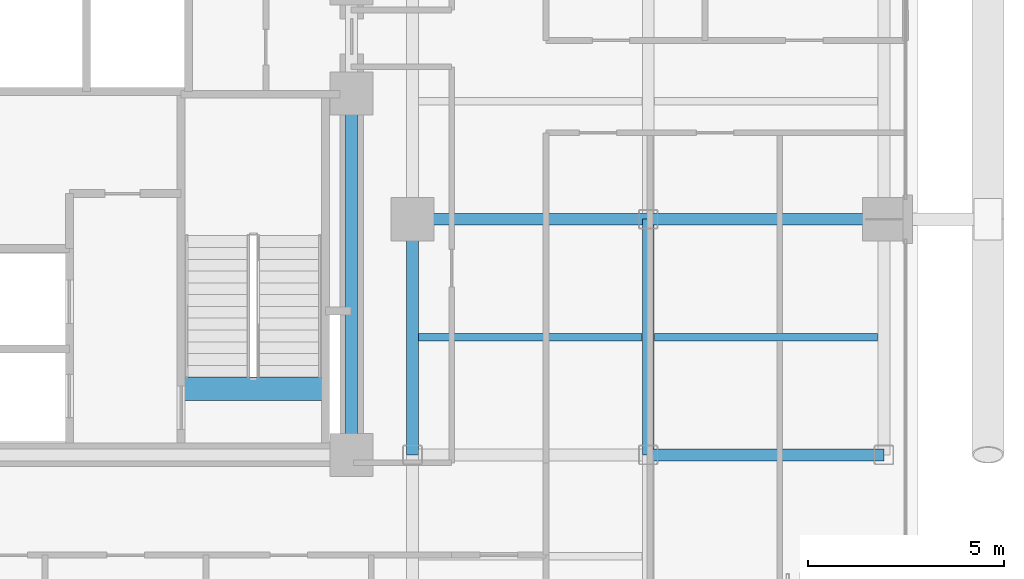
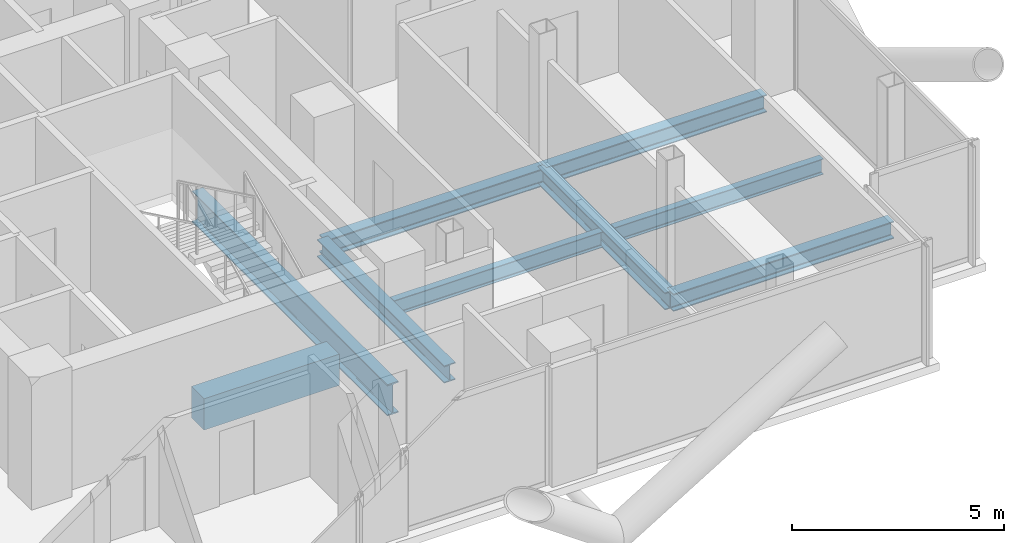
# One storey, part 10 of 24: 9 beams.
"""IFC4 building model written with IfcOpenShell, lengths in metres."""

import ifcopenshell
import ifcopenshell.guid

model = None  # the IFC model being written
_history = None  # IfcOwnerHistory: only IFC2X3 demands one
_inside = {}  # id of a spatial element -> (the spatial element, [elements in it])
_under = {}  # id of a project, library or spatial element -> (it, [spatial elements below it])
_declared = {}  # id of a project -> (the project, [libraries it declares])
_typed = {}  # id of a type object -> (the type object, [elements of that type])
_made_of = {}  # id of a material, layer set ... -> (it, [elements and type objects made of it])


def new_model(schema):
    """Start an empty IFC model of exactly this schema.

    Asked for "IFC4X3", IfcOpenShell would pick the latest addendum, in which some entities
    have other attributes; the version numbers below select the first issue.
    IFC2X3 requires an IfcOwnerHistory on every rooted entity: one is made here for all.
    """
    global model, _history
    if schema == "IFC4X3":
        model = ifcopenshell.file(schema_version=(4, 3, 0, 0))
    else:
        model = ifcopenshell.file(schema=schema)
    _inside.clear()
    _under.clear()
    _declared.clear()
    _typed.clear()
    _made_of.clear()
    _history = None
    if model.schema == "IFC2X3":
        org = make("IfcOrganization", Name="unknown")
        user = make(
            "IfcPersonAndOrganization",
            ThePerson=make("IfcPerson", FamilyName="unknown"),
            TheOrganization=org,
        )
        app = make(
            "IfcApplication",
            ApplicationDeveloper=org,
            Version="unknown",
            ApplicationFullName="unknown",
            ApplicationIdentifier="unknown",
        )
        _history = make(
            "IfcOwnerHistory",
            OwningUser=user,
            OwningApplication=app,
            ChangeAction="ADDED",
            CreationDate=0,
        )
    return model


def make(cls, **values):
    """One entity of the class cls with the attributes given. An attribute that is None is left unset."""
    return model.create_entity(
        cls, **{name: value for name, value in values.items() if value is not None}
    )


def rooted(cls, **values):
    """An entity with a GlobalId (a new one), such as an element, a storey or a relation."""
    return make(cls, GlobalId=ifcopenshell.guid.new(), OwnerHistory=_history, **values)


def si_unit(unit_type, name, prefix=None):
    """IfcSIUnit, for example si_unit("LENGTHUNIT", "METRE", prefix="MILLI")."""
    return make("IfcSIUnit", UnitType=unit_type, Prefix=prefix, Name=name)


def assignment(units):
    """IfcUnitAssignment: the units of a project."""
    return None if units is None else make("IfcUnitAssignment", Units=units)


def point(xyz):
    """IfcCartesianPoint."""
    return None if xyz is None else make("IfcCartesianPoint", Coordinates=xyz)


def direction(xyz):
    """IfcDirection."""
    return None if xyz is None else make("IfcDirection", DirectionRatios=xyz)


def frame(location, z_axis=None, x_axis=None):
    """IfcAxis2Placement3D, a coordinate frame: its origin and axes. An axis left out is left unset."""
    return make(
        "IfcAxis2Placement3D",
        Location=point(location),
        Axis=direction(z_axis),
        RefDirection=direction(x_axis),
    )


def frame_2d(location, x_axis=None):
    """IfcAxis2Placement2D, a coordinate frame in the plane: its origin and x axis."""
    return make(
        "IfcAxis2Placement2D", Location=point(location), RefDirection=direction(x_axis)
    )


def origin():
    """The frame at (0, 0, 0) with its axes left unset."""
    return frame((0.0, 0.0, 0.0))


def origin_2d():
    """The frame at (0, 0) in the plane with its x axis left unset."""
    return frame_2d((0.0, 0.0))


def place(relative_to, where):
    """IfcLocalPlacement: puts the frame where relative to a parent placement (None: the world)."""
    return make(
        "IfcLocalPlacement", PlacementRelTo=relative_to, RelativePlacement=where
    )


def context(
    kind, dimensions, precision=None, world=None, true_north=None, identifier=None
):
    """IfcGeometricRepresentationContext, for example the 3D "Model" context."""
    return make(
        "IfcGeometricRepresentationContext",
        ContextIdentifier=identifier,
        ContextType=kind,
        CoordinateSpaceDimension=dimensions,
        Precision=precision,
        WorldCoordinateSystem=world,
        TrueNorth=true_north,
    )


def subcontext(parent, identifier, kind, view, scale=None):
    """IfcGeometricRepresentationSubContext, for example "Body" below "Model"."""
    return make(
        "IfcGeometricRepresentationSubContext",
        ContextIdentifier=identifier,
        ContextType=kind,
        ParentContext=parent,
        TargetScale=scale,
        TargetView=view,
    )


def project(units=None, contexts=None):
    """IfcProject with its units and contexts."""
    return rooted(
        "IfcProject",
        Name="project",
        RepresentationContexts=contexts,
        UnitsInContext=assignment(units),
    )


def spatial(cls, under=None, at=None, **own):
    """A site, building, storey or space (cls), placed at a placement, below another one or the project."""
    s = rooted(cls, ObjectPlacement=at, **own)
    if under is not None:
        _under.setdefault(under.id(), (under, []))[1].append(s)
    return s


def profile(cls, at=None, kind="AREA", **sizes):
    """A parametric profile (cls). Its sizes go by their IFC names, for example OverallWidth=200.0."""
    return make(cls, ProfileType=kind, Position=at, **sizes)


def rectangle(**sizes):
    """IfcRectangleProfileDef."""
    return profile("IfcRectangleProfileDef", **sizes)


def i_section(**sizes):
    """IfcIShapeProfileDef."""
    return profile("IfcIShapeProfileDef", **sizes)


def extrude(swept, where, along, depth):
    """IfcExtrudedAreaSolid: the profile swept, set in the frame where, extruded along a direction by depth."""
    return make(
        "IfcExtrudedAreaSolid",
        SweptArea=swept,
        Position=where,
        ExtrudedDirection=direction(along),
        Depth=depth,
    )


def shape(context_of_items, identifier, shape_type, items):
    """IfcShapeRepresentation: the items that make up one representation, for example the "Body"."""
    return make(
        "IfcShapeRepresentation",
        ContextOfItems=context_of_items,
        RepresentationIdentifier=identifier,
        RepresentationType=shape_type,
        Items=items,
    )


def material(Name=None, Category=None):
    """IfcMaterial."""
    return make("IfcMaterial", Name=Name, Category=Category)


def material_profile(
    of_material, cross_section, Name=None, Category=None, Priority=None
):
    """IfcMaterialProfile: a cross section and its material."""
    return make(
        "IfcMaterialProfile",
        Name=Name,
        Material=of_material,
        Profile=cross_section,
        Priority=Priority,
        Category=Category,
    )


def profile_set(profiles, Name=None, composite=None):
    """IfcMaterialProfileSet."""
    return make(
        "IfcMaterialProfileSet",
        Name=Name,
        MaterialProfiles=profiles,
        CompositeProfile=composite,
    )


def made_of(thing, what):
    """Note that an element or type object is made of a material, layer set ...; save() writes the relation."""
    if what is not None:
        _made_of.setdefault(what.id(), (what, []))[1].append(thing)
    return thing


def type_object(cls, material=None, **own):
    """A type object (cls), such as IfcWallType, which elements share."""
    return made_of(rooted(cls, **own), material)


def element(
    cls,
    number,
    at=None,
    inside=None,
    cuts=None,
    type_object=None,
    material=None,
    context=None,
    identifier="Body",
    shape_type=None,
    held_by="IfcProductDefinitionShape",
    body=None,
    shapes=None,
    **own,
):
    """One element of the class cls, such as IfcWall. Its Tag is "e" and its number.

    at: its placement. inside: the storey or other place that contains it. cuts: it is an
    opening in that element (IfcRelVoidsElement). A single representation is given by context,
    identifier, shape_type and body (its items); several are given by shapes. held_by: the class
    of the entity that holds the representations. save() writes the other relations.
    """
    e = rooted(cls, Tag="e%d" % number, ObjectPlacement=at, **own)
    if body is not None:
        shapes = [shape(context, identifier, shape_type, body)]
    if shapes is not None:
        e.Representation = make(held_by, Representations=shapes)
    if inside is not None:
        _inside.setdefault(inside.id(), (inside, []))[1].append(e)
    if cuts is not None:
        rooted(
            "IfcRelVoidsElement", RelatingBuildingElement=cuts, RelatedOpeningElement=e
        )
    if type_object is not None:
        _typed.setdefault(type_object.id(), (type_object, []))[1].append(e)
    return made_of(e, material)


def aggregate(whole, parts):
    """IfcRelAggregates: a whole, such as a stair, and the parts it consists of."""
    return rooted("IfcRelAggregates", RelatingObject=whole, RelatedObjects=parts)


def save(model, path):
    """Write the relations noted so far, then the file.

    IfcRelAggregates (storeys below a building ...), IfcRelContainedInSpatialStructure (elements
    in a storey), IfcRelDefinesByType, IfcRelAssociatesMaterial and IfcRelDeclares: one each for
    every whole, place, type object, material and project.
    """
    for whole, parts in _under.values():
        aggregate(whole, parts)
    for where, things in _inside.values():
        rooted(
            "IfcRelContainedInSpatialStructure",
            RelatedElements=things,
            RelatingStructure=where,
        )
    for kind, things in _typed.values():
        rooted("IfcRelDefinesByType", RelatedObjects=things, RelatingType=kind)
    for what, things in _made_of.values():
        rooted("IfcRelAssociatesMaterial", RelatedObjects=things, RelatingMaterial=what)
    for by, libraries in _declared.values():
        rooted("IfcRelDeclares", RelatingContext=by, RelatedDefinitions=libraries)
    model.write(path)


model = new_model("IFC4")

# Units and contexts
model_context = context("Model", 3, precision=1e-05, world=origin(), true_north=direction((0.0, 1.0)))
body_context = subcontext(model_context, "Body", "Model", "MODEL_VIEW")
ifc_project = project(units=[si_unit("LENGTHUNIT", "METRE"), si_unit("AREAUNIT", "SQUARE_METRE"), si_unit("VOLUMEUNIT", "CUBIC_METRE"), si_unit("PLANEANGLEUNIT", "RADIAN"), si_unit("MASSUNIT", "GRAM", prefix="KILO"), si_unit("THERMODYNAMICTEMPERATUREUNIT", "KELVIN"), si_unit("POWERUNIT", "WATT")], contexts=[model_context])

# Site, building, storey
site_placement = place(None, origin())
site = spatial("IfcSite", under=ifc_project, at=site_placement, CompositionType="ELEMENT")
building_placement = place(site_placement, origin())
building = spatial("IfcBuilding", under=site, at=building_placement, Name="Svarakhadi Broadcast Tower", CompositionType="ELEMENT")
storey_placement = place(building_placement, frame((0.0, 0.0, 160.64990234375)))
storey = spatial("IfcBuildingStorey", under=building, at=storey_placement, Name="L39", CompositionType="ELEMENT", Elevation=160.64990234375)

# Beams
ifc_material_1 = material(Name="Steel S355J2 (IS 2062 E350C)", Category="steel")
ifc_material_profile_1 = material_profile(ifc_material_1, i_section(OverallWidth=0.18994140625, OverallDepth=0.449951171875, WebThickness=0.009521484375, FlangeThickness=0.0146484375, FilletRadius=0.02099609375, at=origin_2d()), Name="NPB 450x190x78")
ifc_profile_set_1 = profile_set([ifc_material_profile_1], Name="Steel S355J2 (IS 2062 E350C)")
beam_type_1 = type_object("IfcBeamType", Name="Beam_NPB450", PredefinedType="BEAM", material=ifc_profile_set_1)
for number, where, z_axis, x_axis, name in (
    (1, (35.31005859375, 9.0, -0.449951171875), (1.0, 0.0, 0.0), (0.0, 1.0, 0.0), "L39 Secondary Composite Beam SB020"),
    (2, (41.31005859375, 9.0, -0.449951171875), (1.0, 0.0, 0.0), (0.0, 1.0, 0.0), "L39 Secondary Composite Beam SB022"),
):
    element("IfcBeam", number, at=place(storey_placement, frame(where, z_axis=z_axis, x_axis=x_axis)), inside=storey, type_object=beam_type_1, Name=name, PredefinedType="BEAM", context=body_context, shape_type="SweptSolid", body=[
        extrude(i_section(OverallWidth=0.18994140625, OverallDepth=0.449951171875, WebThickness=0.009521484375, FlangeThickness=0.0146484375, FilletRadius=0.02099609375, at=origin_2d()), origin(), (0.0, 0.0, 1.0), 5.679931640625),
    ])
ifc_material_2 = material(Name="Concrete C50/60 (IS 456 M60)", Category="concrete")
ifc_material_profile_2 = material_profile(ifc_material_2, rectangle(XDim=0.60009765625, YDim=0.89990234375, at=origin_2d()), Name="RC 600x900")
ifc_profile_set_2 = profile_set([ifc_material_profile_2], Name="Concrete C50/60 (IS 456 M60)")
beam_type_2 = type_object("IfcBeamType", Name="Coupling_RC600", PredefinedType="USERDEFINED", material=ifc_profile_set_2)
beam_1_placement = place(storey_placement, frame((29.260009765625, 7.679931640625, -0.449951171875), z_axis=(1.0, 0.0, 0.0), x_axis=(0.0, 1.0, 0.0)))
element("IfcBeam", 3, at=beam_1_placement, inside=storey, type_object=beam_type_2, Name="L39 Stair ST-02 Landing Throat Trimmer Beam CB-01", ObjectType="GIRDER", PredefinedType="USERDEFINED", context=body_context, shape_type="SweptSolid", body=[
    extrude(rectangle(XDim=0.60009765625, YDim=0.89990234375, at=origin_2d()), origin(), (0.0, 0.0, 1.0), 3.679931640625),
])
ifc_material_profile_3 = material_profile(ifc_material_1, i_section(OverallWidth=0.300048828125, OverallDepth=0.5, WebThickness=0.014404296875, FlangeThickness=0.028076171875, FilletRadius=0.027099609375, at=origin_2d()), Name="WPB 500x300x187")
ifc_profile_set_3 = profile_set([ifc_material_profile_3], Name="Steel S355J2 (IS 2062 E350C)")
beam_type_3 = type_object("IfcBeamType", Name="Girder_WPB500", PredefinedType="USERDEFINED", material=ifc_profile_set_3)
for number, where, z_axis, x_axis, name in (
    (4, (41.14990234375, 6.0, -0.474853515625), (1.0, 0.0, 0.0), (0.0, 1.0, 0.0), "L39 Primary E-W Girder G016"),
    (5, (35.14990234375, 12.0, -0.474853515625), (1.0, 0.0, 0.0), (0.0, 1.0, 0.0), "L39 Primary E-W Girder G021"),
    (6, (41.14990234375, 12.0, -0.474853515625), (1.0, 0.0, 0.0), (0.0, 1.0, 0.0), "L39 Primary E-W Girder G022"),
    (7, (35.14990234375, 6.0, -0.474853515625), (0.0, 1.0, 0.0), (-1.0, 0.0, 0.0), "L39 Primary N-S Girder G068"),
    (8, (41.14990234375, 6.0, -0.474853515625), (0.0, 1.0, 0.0), (-1.0, 0.0, 0.0), "L39 Primary N-S Girder G071"),
):
    element("IfcBeam", number, at=place(storey_placement, frame(where, z_axis=z_axis, x_axis=x_axis)), inside=storey, type_object=beam_type_3, Name=name, ObjectType="GIRDER", PredefinedType="USERDEFINED", context=body_context, shape_type="SweptSolid", body=[
        extrude(i_section(OverallWidth=0.300048828125, OverallDepth=0.5, WebThickness=0.014404296875, FlangeThickness=0.028076171875, FilletRadius=0.027099609375, at=origin_2d()), origin(), (0.0, 0.0, 1.0), 6.0),
    ])
ifc_material_3 = material(Name="Steel S460ML (IS 2062 E450BR)", Category="steel")
ifc_material_profile_4 = material_profile(ifc_material_3, i_section(OverallWidth=0.300048828125, OverallDepth=0.89990234375, WebThickness=0.0185546875, FlangeThickness=0.034912109375, FilletRadius=0.030029296875, at=origin_2d()), Name="WPB 900x300x291")
ifc_profile_set_4 = profile_set([ifc_material_profile_4], Name="Steel S460ML (IS 2062 E450BR)")
beam_type_4 = type_object("IfcBeamType", Name="Girder_WPB900", PredefinedType="USERDEFINED", material=ifc_profile_set_4)
beam_2_placement = place(storey_placement, frame((33.60009765625, 6.0, -0.6748046875), z_axis=(0.0, 1.0, 0.0), x_axis=(-1.0, 0.0, 0.0)))
element("IfcBeam", 9, at=beam_2_placement, inside=storey, type_object=beam_type_4, Name="L39 Primary N-S Girder G065", ObjectType="GIRDER", PredefinedType="USERDEFINED", context=body_context, shape_type="SweptSolid", body=[
    extrude(i_section(OverallWidth=0.300048828125, OverallDepth=0.89990234375, WebThickness=0.0185546875, FlangeThickness=0.034912109375, FilletRadius=0.030029296875, at=origin_2d()), origin(), (0.0, 0.0, 1.0), 9.199951171875),
])

save(model, "model.ifc")
